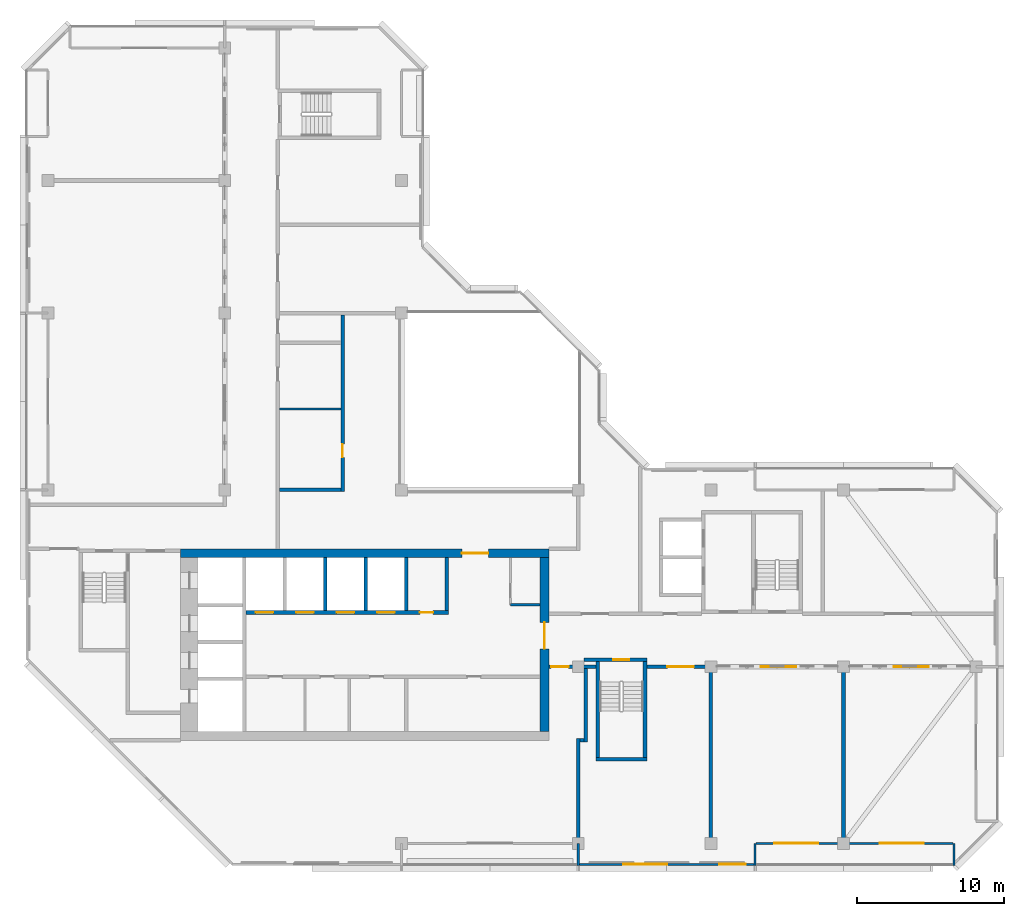
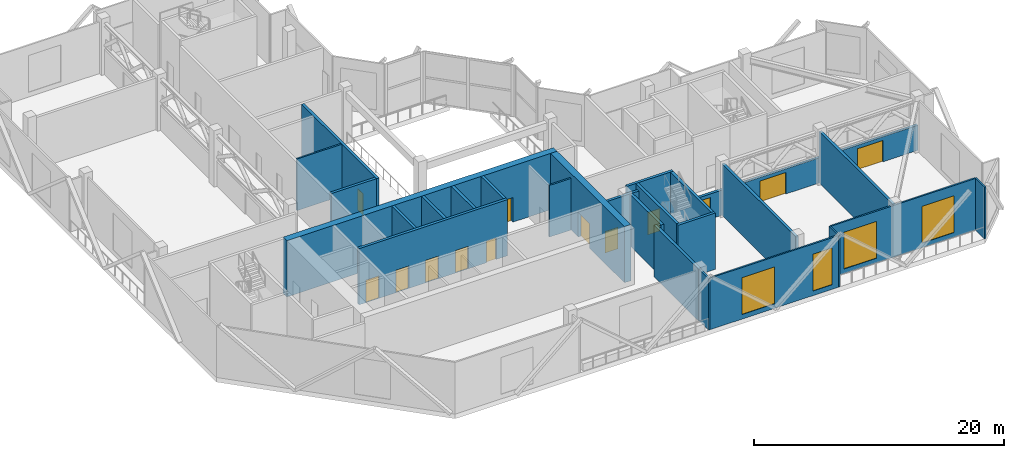
# One storey, part 6 of 13: 27 walls, 13 doors, 4 windows, 17 openings.
"""IFC4 building model written with IfcOpenShell, lengths in metres."""

import ifcopenshell
import ifcopenshell.guid

model = None  # the IFC model being written
_history = None  # IfcOwnerHistory: only IFC2X3 demands one
_inside = {}  # id of a spatial element -> (the spatial element, [elements in it])
_under = {}  # id of a project, library or spatial element -> (it, [spatial elements below it])
_declared = {}  # id of a project -> (the project, [libraries it declares])
_typed = {}  # id of a type object -> (the type object, [elements of that type])
_made_of = {}  # id of a material, layer set ... -> (it, [elements and type objects made of it])


def new_model(schema):
    """Start an empty IFC model of exactly this schema.

    Asked for "IFC4X3", IfcOpenShell would pick the latest addendum, in which some entities
    have other attributes; the version numbers below select the first issue.
    IFC2X3 requires an IfcOwnerHistory on every rooted entity: one is made here for all.
    """
    global model, _history
    if schema == "IFC4X3":
        model = ifcopenshell.file(schema_version=(4, 3, 0, 0))
    else:
        model = ifcopenshell.file(schema=schema)
    _inside.clear()
    _under.clear()
    _declared.clear()
    _typed.clear()
    _made_of.clear()
    _history = None
    if model.schema == "IFC2X3":
        org = make("IfcOrganization", Name="unknown")
        user = make(
            "IfcPersonAndOrganization",
            ThePerson=make("IfcPerson", FamilyName="unknown"),
            TheOrganization=org,
        )
        app = make(
            "IfcApplication",
            ApplicationDeveloper=org,
            Version="unknown",
            ApplicationFullName="unknown",
            ApplicationIdentifier="unknown",
        )
        _history = make(
            "IfcOwnerHistory",
            OwningUser=user,
            OwningApplication=app,
            ChangeAction="ADDED",
            CreationDate=0,
        )
    return model


def make(cls, **values):
    """One entity of the class cls with the attributes given. An attribute that is None is left unset."""
    return model.create_entity(
        cls, **{name: value for name, value in values.items() if value is not None}
    )


def rooted(cls, **values):
    """An entity with a GlobalId (a new one), such as an element, a storey or a relation."""
    return make(cls, GlobalId=ifcopenshell.guid.new(), OwnerHistory=_history, **values)


def si_unit(unit_type, name, prefix=None):
    """IfcSIUnit, for example si_unit("LENGTHUNIT", "METRE", prefix="MILLI")."""
    return make("IfcSIUnit", UnitType=unit_type, Prefix=prefix, Name=name)


def assignment(units):
    """IfcUnitAssignment: the units of a project."""
    return None if units is None else make("IfcUnitAssignment", Units=units)


def point(xyz):
    """IfcCartesianPoint."""
    return None if xyz is None else make("IfcCartesianPoint", Coordinates=xyz)


def direction(xyz):
    """IfcDirection."""
    return None if xyz is None else make("IfcDirection", DirectionRatios=xyz)


def frame(location, z_axis=None, x_axis=None):
    """IfcAxis2Placement3D, a coordinate frame: its origin and axes. An axis left out is left unset."""
    return make(
        "IfcAxis2Placement3D",
        Location=point(location),
        Axis=direction(z_axis),
        RefDirection=direction(x_axis),
    )


def frame_2d(location, x_axis=None):
    """IfcAxis2Placement2D, a coordinate frame in the plane: its origin and x axis."""
    return make(
        "IfcAxis2Placement2D", Location=point(location), RefDirection=direction(x_axis)
    )


def origin():
    """The frame at (0, 0, 0) with its axes left unset."""
    return frame((0.0, 0.0, 0.0))


def place(relative_to, where):
    """IfcLocalPlacement: puts the frame where relative to a parent placement (None: the world)."""
    return make(
        "IfcLocalPlacement", PlacementRelTo=relative_to, RelativePlacement=where
    )


def context(
    kind, dimensions, precision=None, world=None, true_north=None, identifier=None
):
    """IfcGeometricRepresentationContext, for example the 3D "Model" context."""
    return make(
        "IfcGeometricRepresentationContext",
        ContextIdentifier=identifier,
        ContextType=kind,
        CoordinateSpaceDimension=dimensions,
        Precision=precision,
        WorldCoordinateSystem=world,
        TrueNorth=true_north,
    )


def subcontext(parent, identifier, kind, view, scale=None):
    """IfcGeometricRepresentationSubContext, for example "Body" below "Model"."""
    return make(
        "IfcGeometricRepresentationSubContext",
        ContextIdentifier=identifier,
        ContextType=kind,
        ParentContext=parent,
        TargetScale=scale,
        TargetView=view,
    )


def project(units=None, contexts=None):
    """IfcProject with its units and contexts."""
    return rooted(
        "IfcProject",
        Name="project",
        RepresentationContexts=contexts,
        UnitsInContext=assignment(units),
    )


def spatial(cls, under=None, at=None, **own):
    """A site, building, storey or space (cls), placed at a placement, below another one or the project."""
    s = rooted(cls, ObjectPlacement=at, **own)
    if under is not None:
        _under.setdefault(under.id(), (under, []))[1].append(s)
    return s


def profile(cls, at=None, kind="AREA", **sizes):
    """A parametric profile (cls). Its sizes go by their IFC names, for example OverallWidth=200.0."""
    return make(cls, ProfileType=kind, Position=at, **sizes)


def rectangle(**sizes):
    """IfcRectangleProfileDef."""
    return profile("IfcRectangleProfileDef", **sizes)


def extrude(swept, where, along, depth):
    """IfcExtrudedAreaSolid: the profile swept, set in the frame where, extruded along a direction by depth."""
    return make(
        "IfcExtrudedAreaSolid",
        SweptArea=swept,
        Position=where,
        ExtrudedDirection=direction(along),
        Depth=depth,
    )


def shape(context_of_items, identifier, shape_type, items):
    """IfcShapeRepresentation: the items that make up one representation, for example the "Body"."""
    return make(
        "IfcShapeRepresentation",
        ContextOfItems=context_of_items,
        RepresentationIdentifier=identifier,
        RepresentationType=shape_type,
        Items=items,
    )


def material(Name=None, Category=None):
    """IfcMaterial."""
    return make("IfcMaterial", Name=Name, Category=Category)


def layer(
    of_material, thickness, ventilated=None, Name=None, Category=None, Priority=None
):
    """IfcMaterialLayer: one layer of a wall or slab, of a material (None: an air gap)."""
    return make(
        "IfcMaterialLayer",
        Material=of_material,
        LayerThickness=thickness,
        IsVentilated=ventilated,
        Name=Name,
        Category=Category,
        Priority=Priority,
    )


def layer_set(layers, Name=None):
    """IfcMaterialLayerSet."""
    return make("IfcMaterialLayerSet", MaterialLayers=layers, LayerSetName=Name)


def made_of(thing, what):
    """Note that an element or type object is made of a material, layer set ...; save() writes the relation."""
    if what is not None:
        _made_of.setdefault(what.id(), (what, []))[1].append(thing)
    return thing


def type_object(cls, material=None, **own):
    """A type object (cls), such as IfcWallType, which elements share."""
    return made_of(rooted(cls, **own), material)


def element(
    cls,
    number,
    at=None,
    inside=None,
    cuts=None,
    type_object=None,
    material=None,
    context=None,
    identifier="Body",
    shape_type=None,
    held_by="IfcProductDefinitionShape",
    body=None,
    shapes=None,
    **own,
):
    """One element of the class cls, such as IfcWall. Its Tag is "e" and its number.

    at: its placement. inside: the storey or other place that contains it. cuts: it is an
    opening in that element (IfcRelVoidsElement). A single representation is given by context,
    identifier, shape_type and body (its items); several are given by shapes. held_by: the class
    of the entity that holds the representations. save() writes the other relations.
    """
    e = rooted(cls, Tag="e%d" % number, ObjectPlacement=at, **own)
    if body is not None:
        shapes = [shape(context, identifier, shape_type, body)]
    if shapes is not None:
        e.Representation = make(held_by, Representations=shapes)
    if inside is not None:
        _inside.setdefault(inside.id(), (inside, []))[1].append(e)
    if cuts is not None:
        rooted(
            "IfcRelVoidsElement", RelatingBuildingElement=cuts, RelatedOpeningElement=e
        )
    if type_object is not None:
        _typed.setdefault(type_object.id(), (type_object, []))[1].append(e)
    return made_of(e, material)


def fill(opening, filler):
    """IfcRelFillsElement: the door or window that sits in an opening."""
    return rooted(
        "IfcRelFillsElement",
        RelatingOpeningElement=opening,
        RelatedBuildingElement=filler,
    )


def aggregate(whole, parts):
    """IfcRelAggregates: a whole, such as a stair, and the parts it consists of."""
    return rooted("IfcRelAggregates", RelatingObject=whole, RelatedObjects=parts)


def save(model, path):
    """Write the relations noted so far, then the file.

    IfcRelAggregates (storeys below a building ...), IfcRelContainedInSpatialStructure (elements
    in a storey), IfcRelDefinesByType, IfcRelAssociatesMaterial and IfcRelDeclares: one each for
    every whole, place, type object, material and project.
    """
    for whole, parts in _under.values():
        aggregate(whole, parts)
    for where, things in _inside.values():
        rooted(
            "IfcRelContainedInSpatialStructure",
            RelatedElements=things,
            RelatingStructure=where,
        )
    for kind, things in _typed.values():
        rooted("IfcRelDefinesByType", RelatedObjects=things, RelatingType=kind)
    for what, things in _made_of.values():
        rooted("IfcRelAssociatesMaterial", RelatedObjects=things, RelatingMaterial=what)
    for by, libraries in _declared.values():
        rooted("IfcRelDeclares", RelatingContext=by, RelatedDefinitions=libraries)
    model.write(path)


model = new_model("IFC4")

# Units and contexts
model_context = context("Model", 3, precision=1e-05, world=origin(), true_north=direction((0.0, 1.0)))
body_context = subcontext(model_context, "Body", "Model", "MODEL_VIEW")
ifc_project = project(units=[si_unit("LENGTHUNIT", "METRE"), si_unit("AREAUNIT", "SQUARE_METRE"), si_unit("VOLUMEUNIT", "CUBIC_METRE"), si_unit("PLANEANGLEUNIT", "RADIAN"), si_unit("MASSUNIT", "GRAM", prefix="KILO")], contexts=[model_context])

# Site, building, storey
site_placement = place(None, origin())
site = spatial("IfcSite", under=ifc_project, at=site_placement, CompositionType="ELEMENT")
building_placement = place(site_placement, origin())
building = spatial("IfcBuilding", under=site, at=building_placement, Name="Chenar Terraces", CompositionType="ELEMENT")
storey_placement = place(building_placement, frame((0.0, 0.0, 322.14990234375)))
storey = spatial("IfcBuildingStorey", under=building, at=storey_placement, Name="L76", CompositionType="ELEMENT", Elevation=322.14990234375)

# Wall
ifc_material_1 = material(Name="Gypsum board on steel studs", Category="steel")
ifc_layer_1 = layer(ifc_material_1, 0.14990234375)
ifc_layer_set_1 = layer_set([ifc_layer_1], Name="Gypsum board on steel studs")
wall_type_1 = type_object("IfcWallType", Name="Core partition 150 gypsum board", PredefinedType="PARTITIONING", material=ifc_layer_set_1)
wall_1_placement = place(storey_placement, frame((31.39990234375, 16.199951171875, 0.0), z_axis=(0.0, 0.0, 1.0), x_axis=(1.0, 0.0, 0.0)))
element("IfcWall", 1, at=wall_1_placement, inside=storey, type_object=wall_type_1, Name="Core partition CP1 vestibule room south wall", PredefinedType="PARTITIONING", context=body_context, shape_type="SweptSolid", body=[
    extrude(rectangle(XDim=2.0, YDim=0.14990234375, at=frame_2d((1.0, 0.0))), origin(), (0.0, 0.0, 1.0), 5.050048828125),
])

# Wall, openings, doors
ifc_material_2 = material(Name="Concrete C50/60", Category="concrete")
ifc_layer_2 = layer(ifc_material_2, 0.25)
ifc_layer_set_2 = layer_set([ifc_layer_2], Name="Concrete C50/60")
wall_type_2 = type_object("IfcWallType", Name="Core wall 250 Concrete C50/60", PredefinedType="SHEAR", material=ifc_layer_set_2)
wall_2_placement = place(storey_placement, frame((13.449951171875, 15.675048828125, 0.0), z_axis=(0.0, 0.0, 1.0), x_axis=(1.0, 0.0, 0.0)))
wall_2 = element("IfcWall", 2, at=wall_2_placement, inside=storey, type_object=wall_type_2, Name="Core wall NF L76", PredefinedType="SHEAR", context=body_context, shape_type="SweptSolid", body=[
    extrude(rectangle(XDim=13.75, YDim=0.25, at=frame_2d((6.875, 0.0))), origin(), (0.0, 0.0, 1.0), 5.5),
])
opening_1_placement = place(wall_2_placement, frame((0.64990234375, 0.0, 0.0)))
opening_1 = element("IfcOpeningElement", 3, at=opening_1_placement, cuts=wall_2, Name="Opening DL76-LD1", PredefinedType="OPENING", context=body_context, shape_type="SweptSolid", body=[
    extrude(rectangle(XDim=1.199951171875, YDim=2.199951171875, at=frame_2d((0.60009765625, 1.10009765625))), frame((0.0, 0.135009765625, 0.0), z_axis=(0.0, -1.0, 0.0), x_axis=(1.0, 0.0, 0.0)), (0.0, 0.0, 1.0), 0.27001953125),
])
opening_2_placement = place(wall_2_placement, frame((3.39990234375, 0.0, 0.0)))
opening_2 = element("IfcOpeningElement", 4, at=opening_2_placement, cuts=wall_2, Name="Opening DL76-LD2", PredefinedType="OPENING", context=body_context, shape_type="SweptSolid", body=[
    extrude(rectangle(XDim=1.199951171875, YDim=2.199951171875, at=frame_2d((0.60009765625, 1.10009765625))), frame((0.0, 0.135009765625, 0.0), z_axis=(0.0, -1.0, 0.0), x_axis=(1.0, 0.0, 0.0)), (0.0, 0.0, 1.0), 0.27001953125),
])
opening_3_placement = place(wall_2_placement, frame((6.14990234375, 0.0, 0.0)))
opening_3 = element("IfcOpeningElement", 5, at=opening_3_placement, cuts=wall_2, Name="Opening DL76-LD3", PredefinedType="OPENING", context=body_context, shape_type="SweptSolid", body=[
    extrude(rectangle(XDim=1.199951171875, YDim=2.199951171875, at=frame_2d((0.60009765625, 1.10009765625))), frame((0.0, 0.135009765625, 0.0), z_axis=(0.0, -1.0, 0.0), x_axis=(1.0, 0.0, 0.0)), (0.0, 0.0, 1.0), 0.27001953125),
])
opening_4_placement = place(wall_2_placement, frame((8.89990234375, 0.0, 0.0)))
opening_4 = element("IfcOpeningElement", 6, at=opening_4_placement, cuts=wall_2, Name="Opening DL76-LD4", PredefinedType="OPENING", context=body_context, shape_type="SweptSolid", body=[
    extrude(rectangle(XDim=1.199951171875, YDim=2.199951171875, at=frame_2d((0.60009765625, 1.10009765625))), frame((0.0, 0.135009765625, 0.0), z_axis=(0.0, -1.0, 0.0), x_axis=(1.0, 0.0, 0.0)), (0.0, 0.0, 1.0), 0.27001953125),
])
opening_5_placement = place(wall_2_placement, frame((11.800048828125, 0.0, 0.0)))
opening_5 = element("IfcOpeningElement", 7, at=opening_5_placement, cuts=wall_2, Name="Opening DL76-C16", PredefinedType="OPENING", context=body_context, shape_type="SweptSolid", body=[
    extrude(rectangle(XDim=0.89990234375, YDim=2.10009765625, at=frame_2d((0.449951171875, 1.050048828125))), frame((0.0, 0.135009765625, 0.0), z_axis=(0.0, -1.0, 0.0), x_axis=(1.0, 0.0, 0.0)), (0.0, 0.0, 1.0), 0.27001953125),
])
ifc_material_3 = material(Name="Stainless steel", Category="steel")
door_type_1 = type_object("IfcDoorType", Name="Lift landing door 1200 x 2200 sliding", OperationType="DOUBLE_DOOR_SLIDING", PredefinedType="DOOR", material=ifc_material_3)
door_1_placement = place(opening_1_placement, origin())
door_1 = element("IfcDoor", 8, at=door_1_placement, inside=storey, type_object=door_type_1, Name="Landing door H1", OperationType="DOUBLE_DOOR_SLIDING", OverallHeight=2.199951171875, OverallWidth=1.199951171875, PredefinedType="DOOR", context=body_context, shape_type="SweptSolid", body=[
    extrude(rectangle(XDim=1.199951171875, YDim=2.199951171875, at=frame_2d((0.60009765625, 1.10009765625))), frame((0.0, 0.02490234375, 0.0), z_axis=(0.0, -1.0, 0.0), x_axis=(1.0, 0.0, 0.0)), (0.0, 0.0, 1.0), 0.050048828125),
])
fill(opening_1, door_1)
door_2_placement = place(opening_2_placement, origin())
door_2 = element("IfcDoor", 9, at=door_2_placement, inside=storey, type_object=door_type_1, Name="Landing door H2", OperationType="DOUBLE_DOOR_SLIDING", OverallHeight=2.199951171875, OverallWidth=1.199951171875, PredefinedType="DOOR", context=body_context, shape_type="SweptSolid", body=[
    extrude(rectangle(XDim=1.199951171875, YDim=2.199951171875, at=frame_2d((0.60009765625, 1.10009765625))), frame((0.0, 0.02490234375, 0.0), z_axis=(0.0, -1.0, 0.0), x_axis=(1.0, 0.0, 0.0)), (0.0, 0.0, 1.0), 0.050048828125),
])
fill(opening_2, door_2)
door_3_placement = place(opening_3_placement, origin())
door_3 = element("IfcDoor", 10, at=door_3_placement, inside=storey, type_object=door_type_1, Name="Landing door H3", OperationType="DOUBLE_DOOR_SLIDING", OverallHeight=2.199951171875, OverallWidth=1.199951171875, PredefinedType="DOOR", context=body_context, shape_type="SweptSolid", body=[
    extrude(rectangle(XDim=1.199951171875, YDim=2.199951171875, at=frame_2d((0.60009765625, 1.10009765625))), frame((0.0, 0.02490234375, 0.0), z_axis=(0.0, -1.0, 0.0), x_axis=(1.0, 0.0, 0.0)), (0.0, 0.0, 1.0), 0.050048828125),
])
fill(opening_3, door_3)
door_4_placement = place(opening_4_placement, origin())
door_4 = element("IfcDoor", 11, at=door_4_placement, inside=storey, type_object=door_type_1, Name="Landing door H4", OperationType="DOUBLE_DOOR_SLIDING", OverallHeight=2.199951171875, OverallWidth=1.199951171875, PredefinedType="DOOR", context=body_context, shape_type="SweptSolid", body=[
    extrude(rectangle(XDim=1.199951171875, YDim=2.199951171875, at=frame_2d((0.60009765625, 1.10009765625))), frame((0.0, 0.02490234375, 0.0), z_axis=(0.0, -1.0, 0.0), x_axis=(1.0, 0.0, 0.0)), (0.0, 0.0, 1.0), 0.050048828125),
])
fill(opening_4, door_4)
ifc_material_4 = material(Name="Steel-framed fire-resisting door leaf", Category="steel")
door_type_2 = type_object("IfcDoorType", Name="Riser fire door FD60 900 x 2100", OperationType="SINGLE_SWING_LEFT", PredefinedType="DOOR", material=ifc_material_4)
door_5_placement = place(opening_5_placement, origin())
door_5 = element("IfcDoor", 12, at=door_5_placement, inside=storey, type_object=door_type_2, Name="Core room door DL76-C16", OperationType="SINGLE_SWING_RIGHT", OverallHeight=2.10009765625, OverallWidth=0.89990234375, PredefinedType="DOOR", context=body_context, shape_type="SweptSolid", body=[
    extrude(rectangle(XDim=0.89990234375, YDim=2.10009765625, at=frame_2d((0.449951171875, 1.050048828125))), frame((0.0, 0.02490234375, 0.0), z_axis=(0.0, -1.0, 0.0), x_axis=(1.0, 0.0, 0.0)), (0.0, 0.0, 1.0), 0.050048828125),
])
fill(opening_5, door_5)

# Walls
for number, where, z_axis, x_axis, name in (
    (13, (18.824951171875, 15.800048828125, 0.0), (0.0, 0.0, 1.0), (0.0, 1.0, 0.0), "Core wall NS1 L76"),
    (14, (21.574951171875, 15.800048828125, 0.0), (0.0, 0.0, 1.0), (0.0, 1.0, 0.0), "Core wall NS2 L76"),
    (15, (24.324951171875, 15.800048828125, 0.0), (0.0, 0.0, 1.0), (0.0, 1.0, 0.0), "Core wall NS3 L76"),
    (16, (27.074951171875, 15.800048828125, 0.0), (0.0, 0.0, 1.0), (0.0, 1.0, 0.0), "Core wall NE L76"),
):
    element("IfcWall", number, at=place(storey_placement, frame(where, z_axis=z_axis, x_axis=x_axis)), inside=storey, type_object=wall_type_2, Name=name, PredefinedType="SHEAR", context=body_context, shape_type="SweptSolid", body=[
        extrude(rectangle(XDim=3.599853515625, YDim=0.25, at=frame_2d((1.7998046875, 0.0))), origin(), (0.0, 0.0, 1.0), 5.5),
    ])
wall_3_placement = place(storey_placement, frame((37.199951171875, 5.72509765625, 0.0), z_axis=(0.0, 0.0, 1.0), x_axis=(1.0, 0.0, 0.0)))
element("IfcWall", 17, at=wall_3_placement, inside=storey, type_object=wall_type_2, Name="Core wall ST2_S L76", PredefinedType="SHEAR", context=body_context, shape_type="SweptSolid", body=[
    extrude(rectangle(XDim=3.449951171875, YDim=0.25, at=frame_2d((1.72509765625, 0.0))), origin(), (0.0, 0.0, 1.0), 5.5),
])

# Wall, opening, door
wall_4_placement = place(storey_placement, frame((36.39990234375, 12.47509765625, 0.0), z_axis=(0.0, 0.0, 1.0), x_axis=(1.0, 0.0, 0.0)))
wall_4 = element("IfcWall", 18, at=wall_4_placement, inside=storey, type_object=wall_type_2, Name="Core wall ST2_N L76", PredefinedType="SHEAR", context=body_context, shape_type="SweptSolid", body=[
    extrude(rectangle(XDim=4.25, YDim=0.25, at=frame_2d((2.125, 0.0))), origin(), (0.0, 0.0, 1.0), 5.5),
])
opening_6_placement = place(wall_4_placement, frame((1.97509765625, 0.0, 0.0)))
opening_6 = element("IfcOpeningElement", 19, at=opening_6_placement, cuts=wall_4, Name="Opening DL76-C7", PredefinedType="OPENING", context=body_context, shape_type="SweptSolid", body=[
    extrude(rectangle(XDim=1.10009765625, YDim=2.199951171875, at=frame_2d((0.550048828125, 1.10009765625))), frame((0.0, 0.135009765625, 0.0), z_axis=(0.0, -1.0, 0.0), x_axis=(1.0, 0.0, 0.0)), (0.0, 0.0, 1.0), 0.27001953125),
])
ifc_material_5 = material(Name="Steel-framed fire-resisting door leaf", Category="steel")
door_type_3 = type_object("IfcDoorType", Name="Stair fire door FD60 1100 x 2200", OperationType="SINGLE_SWING_LEFT", PredefinedType="DOOR", material=ifc_material_5)
door_6_placement = place(opening_6_placement, frame((1.10009765625, 0.0, 0.0), z_axis=(0.0, 0.0, 1.0), x_axis=(-1.0, 0.0, 0.0)))
door_6 = element("IfcDoor", 20, at=door_6_placement, inside=storey, type_object=door_type_3, Name="Stair door DL76-C7", OperationType="SINGLE_SWING_LEFT", OverallHeight=2.199951171875, OverallWidth=1.10009765625, PredefinedType="DOOR", context=body_context, shape_type="SweptSolid", body=[
    extrude(rectangle(XDim=1.10009765625, YDim=2.199951171875, at=frame_2d((0.550048828125, 1.10009765625))), frame((0.0, 0.02490234375, 0.0), z_axis=(0.0, -1.0, 0.0), x_axis=(1.0, 0.0, 0.0)), (0.0, 0.0, 1.0), 0.050048828125),
])
fill(opening_6, door_6)

# Walls
for number, where, z_axis, x_axis, name in (
    (21, (37.324951171875, 5.85009765625, 0.0), (0.0, 0.0, 1.0), (0.0, 1.0, 0.0), "Core wall ST2_W L76"),
    (22, (40.52490234375, 5.85009765625, 0.0), (0.0, 0.0, 1.0), (0.0, 1.0, 0.0), "Core wall ST2_E L76"),
):
    element("IfcWall", number, at=place(storey_placement, frame(where, z_axis=z_axis, x_axis=x_axis)), inside=storey, type_object=wall_type_2, Name=name, PredefinedType="SHEAR", context=body_context, shape_type="SweptSolid", body=[
        extrude(rectangle(XDim=6.5, YDim=0.25, at=frame_2d((3.25, 0.0))), origin(), (0.0, 0.0, 1.0), 5.5),
    ])

# Wall, opening, door
ifc_material_6 = material(Name="Concrete C50/60", Category="concrete")
ifc_layer_3 = layer(ifc_material_6, 0.60009765625)
ifc_layer_set_3 = layer_set([ifc_layer_3], Name="Concrete C50/60")
wall_type_3 = type_object("IfcWallType", Name="Core wall 600 Concrete C50/60", PredefinedType="SHEAR", material=ifc_layer_set_3)
wall_5_placement = place(storey_placement, frame((9.0, 19.699951171875, 0.0), z_axis=(0.0, 0.0, 1.0), x_axis=(1.0, 0.0, 0.0)))
wall_5 = element("IfcWall", 23, at=wall_5_placement, inside=storey, type_object=wall_type_3, Name="Core wall N L76", PredefinedType="SHEAR", context=body_context, shape_type="SweptSolid", body=[
    extrude(rectangle(XDim=25.0, YDim=0.60009765625, at=frame_2d((12.5, 0.0))), origin(), (0.0, 0.0, 1.0), 5.5),
])
opening_7_placement = place(wall_5_placement, frame((19.10009765625, 0.0, 0.0)))
opening_7 = element("IfcOpeningElement", 24, at=opening_7_placement, cuts=wall_5, Name="Opening DL76-C2", PredefinedType="OPENING", context=body_context, shape_type="SweptSolid", body=[
    extrude(rectangle(XDim=1.800048828125, YDim=2.39990234375, at=frame_2d((0.89990234375, 1.199951171875))), frame((0.0, 0.31005859375, 0.0), z_axis=(0.0, -1.0, 0.0), x_axis=(1.0, 0.0, 0.0)), (0.0, 0.0, 1.0), 0.6201171875),
])
ifc_material_7 = material(Name="Steel-framed fire-resisting door leaf", Category="steel")
door_type_4 = type_object("IfcDoorType", Name="Core entrance double fire door FD60 1800 x 2400", OperationType="DOUBLE_DOOR_SINGLE_SWING", PredefinedType="DOOR", material=ifc_material_7)
door_7_placement = place(opening_7_placement, frame((1.800048828125, 0.0, 0.0), z_axis=(0.0, 0.0, 1.0), x_axis=(-1.0, 0.0, 0.0)))
door_7 = element("IfcDoor", 25, at=door_7_placement, inside=storey, type_object=door_type_4, Name="Core door DL76-C2", OperationType="DOUBLE_DOOR_SINGLE_SWING", OverallHeight=2.39990234375, OverallWidth=1.800048828125, PredefinedType="DOOR", context=body_context, shape_type="SweptSolid", body=[
    extrude(rectangle(XDim=1.800048828125, YDim=2.39990234375, at=frame_2d((0.89990234375, 1.199951171875))), frame((0.0, 0.02490234375, 0.0), z_axis=(0.0, -1.0, 0.0), x_axis=(1.0, 0.0, 0.0)), (0.0, 0.0, 1.0), 0.050048828125),
])
fill(opening_7, door_7)

wall_6_placement = place(storey_placement, frame((33.699951171875, 7.60009765625, 0.0), z_axis=(0.0, 0.0, 1.0), x_axis=(0.0, 1.0, 0.0)))
wall_6 = element("IfcWall", 26, at=wall_6_placement, inside=storey, type_object=wall_type_3, Name="Core wall E L76", PredefinedType="SHEAR", context=body_context, shape_type="SweptSolid", body=[
    extrude(rectangle(XDim=11.7998046875, YDim=0.60009765625, at=frame_2d((5.89990234375, 0.0))), origin(), (0.0, 0.0, 1.0), 5.5),
])
opening_8_placement = place(wall_6_placement, frame((5.60009765625, 0.0, 0.0)))
opening_8 = element("IfcOpeningElement", 27, at=opening_8_placement, cuts=wall_6, Name="Opening DL76-C1", PredefinedType="OPENING", context=body_context, shape_type="SweptSolid", body=[
    extrude(rectangle(XDim=1.800048828125, YDim=2.39990234375, at=frame_2d((0.89990234375, 1.199951171875))), frame((0.0, 0.31005859375, 0.0), z_axis=(0.0, -1.0, 0.0), x_axis=(1.0, 0.0, 0.0)), (0.0, 0.0, 1.0), 0.6201171875),
])
door_8_placement = place(opening_8_placement, origin())
door_8 = element("IfcDoor", 28, at=door_8_placement, inside=storey, type_object=door_type_4, Name="Core door DL76-C1", OperationType="DOUBLE_DOOR_SINGLE_SWING", OverallHeight=2.39990234375, OverallWidth=1.800048828125, PredefinedType="DOOR", context=body_context, shape_type="SweptSolid", body=[
    extrude(rectangle(XDim=1.800048828125, YDim=2.39990234375, at=frame_2d((0.89990234375, 1.199951171875))), frame((0.0, 0.02490234375, 0.0), z_axis=(0.0, -1.0, 0.0), x_axis=(1.0, 0.0, 0.0)), (0.0, 0.0, 1.0), 0.050048828125),
])
fill(opening_8, door_8)

# Wall, openings, windows
ifc_material_8 = material(Name="Aluminium framed glazing", Category="aluminium")
ifc_layer_4 = layer(ifc_material_8, 0.14990234375)
ifc_layer_set_4 = layer_set([ifc_layer_4], Name="Aluminium framed glazing")
wall_type_4 = type_object("IfcWallType", Name="Glazed flush facade wall 150", PredefinedType="SOLIDWALL", material=ifc_layer_set_4)
wall_7_placement = place(storey_placement, frame((36.074951171875, -1.425048828125, 0.0), z_axis=(0.0, 0.0, 1.0), x_axis=(1.0, 0.0, 0.0)))
wall_7 = element("IfcWall", 29, at=wall_7_placement, inside=storey, type_object=wall_type_4, Name="Glazed flush facade wall", PredefinedType="SOLIDWALL", context=body_context, shape_type="SweptSolid", body=[
    extrude(rectangle(XDim=11.85009765625, YDim=0.14990234375, at=frame_2d((5.925048828125, 0.0))), origin(), (0.0, 0.0, 1.0), 5.050048828125),
])
opening_9_placement = place(wall_7_placement, frame((2.96240234375, 0.0, 0.449951171875)))
opening_9 = element("IfcOpeningElement", 30, at=opening_9_placement, cuts=wall_7, Name="Opening W300x360", PredefinedType="OPENING", context=body_context, shape_type="SweptSolid", body=[
    extrude(rectangle(XDim=3.0, YDim=3.60009765625, at=frame_2d((1.5, 1.800048828125))), frame((0.0, 0.0849609375, 0.0), z_axis=(0.0, -1.0, 0.0), x_axis=(1.0, 0.0, 0.0)), (0.0, 0.0, 1.0), 0.169921875),
])
opening_10_placement = place(wall_7_placement, frame((9.487548828125, 0.0, 0.449951171875)))
opening_10 = element("IfcOpeningElement", 31, at=opening_10_placement, cuts=wall_7, Name="Opening W180x360", PredefinedType="OPENING", context=body_context, shape_type="SweptSolid", body=[
    extrude(rectangle(XDim=1.800048828125, YDim=3.60009765625, at=frame_2d((0.89990234375, 1.800048828125))), frame((0.0, 0.0849609375, 0.0), z_axis=(0.0, -1.0, 0.0), x_axis=(1.0, 0.0, 0.0)), (0.0, 0.0, 1.0), 0.169921875),
])
ifc_material_9 = material(Name="Low emissivity double glazing, aluminium frame", Category="aluminium")
window_type_1 = type_object("IfcWindowType", Name="Fixed light 1800 x 3600", PartitioningType="SINGLE_PANEL", PredefinedType="WINDOW", material=ifc_material_9)
window_1_placement = place(opening_10_placement, origin())
window_1 = element("IfcWindow", 32, at=window_1_placement, inside=storey, type_object=window_type_1, Name="Window", OverallHeight=3.60009765625, OverallWidth=1.800048828125, PartitioningType="SINGLE_PANEL", PredefinedType="WINDOW", context=body_context, shape_type="SweptSolid", body=[
    extrude(rectangle(XDim=1.800048828125, YDim=3.60009765625, at=frame_2d((0.89990234375, 1.800048828125))), frame((0.0, 0.030029296875, 0.0), z_axis=(0.0, -1.0, 0.0), x_axis=(1.0, 0.0, 0.0)), (0.0, 0.0, 1.0), 0.06005859375),
])
fill(opening_10, window_1)
ifc_material_10 = material(Name="Low emissivity double glazing, aluminium frame", Category="aluminium")
window_type_2 = type_object("IfcWindowType", Name="Fixed light 3000 x 3600", PartitioningType="SINGLE_PANEL", PredefinedType="WINDOW", material=ifc_material_10)
window_2_placement = place(opening_9_placement, origin())
window_2 = element("IfcWindow", 33, at=window_2_placement, inside=storey, type_object=window_type_2, Name="Window", OverallHeight=3.60009765625, OverallWidth=3.0, PartitioningType="SINGLE_PANEL", PredefinedType="WINDOW", context=body_context, shape_type="SweptSolid", body=[
    extrude(rectangle(XDim=3.0, YDim=3.60009765625, at=frame_2d((1.5, 1.800048828125))), frame((0.0, 0.030029296875, 0.0), z_axis=(0.0, -1.0, 0.0), x_axis=(1.0, 0.0, 0.0)), (0.0, 0.0, 1.0), 0.06005859375),
])
fill(opening_9, window_2)

ifc_material_11 = material(Name="Aluminium framed glazing", Category="aluminium")
ifc_layer_5 = layer(ifc_material_11, 0.14990234375)
ifc_layer_set_5 = layer_set([ifc_layer_5], Name="Aluminium framed glazing")
wall_type_5 = type_object("IfcWallType", Name="Glazed loggia back wall 150", PredefinedType="SOLIDWALL", material=ifc_layer_set_5)
wall_8_placement = place(storey_placement, frame((48.074951171875, 0.0, 0.0), z_axis=(0.0, 0.0, 1.0), x_axis=(1.0, 0.0, 0.0)))
wall_8 = element("IfcWall", 34, at=wall_8_placement, inside=storey, type_object=wall_type_5, Name="Glazed loggia back wall", PredefinedType="SOLIDWALL", context=body_context, shape_type="SweptSolid", body=[
    extrude(rectangle(XDim=13.35009765625, YDim=0.14990234375, at=frame_2d((6.675048828125, 0.0))), origin(), (0.0, 0.0, 1.0), 5.050048828125),
])
opening_11_placement = place(wall_8_placement, frame((1.21240234375, 0.0, 0.449951171875)))
opening_11 = element("IfcOpeningElement", 35, at=opening_11_placement, cuts=wall_8, Name="Opening W300x360", PredefinedType="OPENING", context=body_context, shape_type="SweptSolid", body=[
    extrude(rectangle(XDim=3.0, YDim=3.60009765625, at=frame_2d((1.5, 1.800048828125))), frame((0.0, 0.0849609375, 0.0), z_axis=(0.0, -1.0, 0.0), x_axis=(1.0, 0.0, 0.0)), (0.0, 0.0, 1.0), 0.169921875),
])
opening_12_placement = place(wall_8_placement, frame((8.387451171875, 0.0, 0.449951171875)))
opening_12 = element("IfcOpeningElement", 36, at=opening_12_placement, cuts=wall_8, Name="Opening W300x360", PredefinedType="OPENING", context=body_context, shape_type="SweptSolid", body=[
    extrude(rectangle(XDim=3.0, YDim=3.60009765625, at=frame_2d((1.5, 1.800048828125))), frame((0.0, 0.0849609375, 0.0), z_axis=(0.0, -1.0, 0.0), x_axis=(1.0, 0.0, 0.0)), (0.0, 0.0, 1.0), 0.169921875),
])
window_3_placement = place(opening_11_placement, origin())
window_3 = element("IfcWindow", 37, at=window_3_placement, inside=storey, type_object=window_type_2, Name="Window", OverallHeight=3.60009765625, OverallWidth=3.0, PartitioningType="SINGLE_PANEL", PredefinedType="WINDOW", context=body_context, shape_type="SweptSolid", body=[
    extrude(rectangle(XDim=3.0, YDim=3.60009765625, at=frame_2d((1.5, 1.800048828125))), frame((0.0, 0.030029296875, 0.0), z_axis=(0.0, -1.0, 0.0), x_axis=(1.0, 0.0, 0.0)), (0.0, 0.0, 1.0), 0.06005859375),
])
fill(opening_11, window_3)
window_4_placement = place(opening_12_placement, origin())
window_4 = element("IfcWindow", 38, at=window_4_placement, inside=storey, type_object=window_type_2, Name="Window", OverallHeight=3.60009765625, OverallWidth=3.0, PartitioningType="SINGLE_PANEL", PredefinedType="WINDOW", context=body_context, shape_type="SweptSolid", body=[
    extrude(rectangle(XDim=3.0, YDim=3.60009765625, at=frame_2d((1.5, 1.800048828125))), frame((0.0, 0.030029296875, 0.0), z_axis=(0.0, -1.0, 0.0), x_axis=(1.0, 0.0, 0.0)), (0.0, 0.0, 1.0), 0.06005859375),
])
fill(opening_12, window_4)

# Walls
ifc_material_12 = material(Name="Terracotta cladding on insulated backing", Category="masonry")
ifc_layer_6 = layer(ifc_material_12, 0.14990234375)
ifc_layer_set_6 = layer_set([ifc_layer_6], Name="Terracotta cladding on insulated backing")
wall_type_6 = type_object("IfcWallType", Name="Loggia return wall 150", PredefinedType="SOLIDWALL", material=ifc_layer_set_6)
for number, where, z_axis, x_axis, name in (
    (39, (36.0, -1.5, 0.0), (0.0, 0.0, 1.0), (0.0, 1.0, 0.0), "Loggia return wall"),
    (40, (48.0, -1.5, 0.0), (0.0, 0.0, 1.0), (0.0, 1.0, 0.0), "Loggia return wall"),
    (41, (61.5, -1.5, 0.0), (0.0, 0.0, 1.0), (0.0, 1.0, 0.0), "Loggia return wall"),
):
    element("IfcWall", number, at=place(storey_placement, frame(where, z_axis=z_axis, x_axis=x_axis)), inside=storey, type_object=wall_type_6, Name=name, PredefinedType="SOLIDWALL", context=body_context, shape_type="SweptSolid", body=[
        extrude(rectangle(XDim=1.5, YDim=0.14990234375, at=frame_2d((0.75, 0.0))), origin(), (0.0, 0.0, 1.0), 5.050048828125),
    ])
ifc_material_13 = material(Name="Fire-board and steel stud wall with mineral wool", Category="steel")
ifc_layer_7 = layer(ifc_material_13, 0.25)
ifc_layer_set_7 = layer_set([ifc_layer_7], Name="Fire-board and steel stud wall with mineral wool")
wall_type_7 = type_object("IfcWallType", Name="Refuge compartment wall 250", PredefinedType="PARTITIONING", material=ifc_layer_set_7)
wall_9_placement = place(storey_placement, frame((15.72509765625, 24.0, 0.0), z_axis=(0.0, 0.0, 1.0), x_axis=(1.0, 0.0, 0.0)))
element("IfcWall", 42, at=wall_9_placement, inside=storey, type_object=wall_type_7, Name="Partition L76-008", PredefinedType="PARTITIONING", context=body_context, shape_type="SweptSolid", body=[
    extrude(rectangle(XDim=4.14990234375, YDim=0.25, at=frame_2d((2.074951171875, 0.0))), origin(), (0.0, 0.0, 1.0), 5.050048828125),
])

# Wall, opening, door
wall_10_placement = place(storey_placement, frame((20.0, 23.875, 0.0), z_axis=(0.0, 0.0, 1.0), x_axis=(0.0, 1.0, 0.0)))
wall_10 = element("IfcWall", 43, at=wall_10_placement, inside=storey, type_object=wall_type_7, Name="Partition L76-013", PredefinedType="PARTITIONING", context=body_context, shape_type="SweptSolid", body=[
    extrude(rectangle(XDim=12.0, YDim=0.25, at=frame_2d((6.0, 0.0))), origin(), (0.0, 0.0, 1.0), 5.050048828125),
])
opening_13_placement = place(wall_10_placement, frame((2.324951171875, 0.0, 0.0)))
opening_13 = element("IfcOpeningElement", 44, at=opening_13_placement, cuts=wall_10, Name="Opening DL76-15", PredefinedType="OPENING", context=body_context, shape_type="SweptSolid", body=[
    extrude(rectangle(XDim=0.89990234375, YDim=2.10009765625, at=frame_2d((0.449951171875, 1.050048828125))), frame((0.0, 0.135009765625, 0.0), z_axis=(0.0, -1.0, 0.0), x_axis=(1.0, 0.0, 0.0)), (0.0, 0.0, 1.0), 0.27001953125),
])
ifc_material_14 = material(Name="Steel-framed fire-resisting door leaf", Category="steel")
door_type_5 = type_object("IfcDoorType", Name="Fire door FD120 900 x 2100", OperationType="SINGLE_SWING_LEFT", PredefinedType="DOOR", material=ifc_material_14)
door_9_placement = place(opening_13_placement, origin())
door_9 = element("IfcDoor", 45, at=door_9_placement, inside=storey, type_object=door_type_5, Name="Door DL76-15", OperationType="SINGLE_SWING_LEFT", OverallHeight=2.10009765625, OverallWidth=0.89990234375, PredefinedType="DOOR", context=body_context, shape_type="SweptSolid", body=[
    extrude(rectangle(XDim=0.89990234375, YDim=2.10009765625, at=frame_2d((0.449951171875, 1.050048828125))), frame((0.0, 0.02490234375, 0.0), z_axis=(0.0, -1.0, 0.0), x_axis=(1.0, 0.0, 0.0)), (0.0, 0.0, 1.0), 0.050048828125),
])
fill(opening_13, door_9)

wall_11_placement = place(storey_placement, frame((34.0, 12.0, 0.0), z_axis=(0.0, 0.0, 1.0), x_axis=(1.0, 0.0, 0.0)))
wall_11 = element("IfcWall", 46, at=wall_11_placement, inside=storey, type_object=wall_type_7, Name="Partition L76-014", PredefinedType="PARTITIONING", context=body_context, shape_type="SweptSolid", body=[
    extrude(rectangle(XDim=3.199951171875, YDim=0.25, at=frame_2d((1.60009765625, 0.0))), origin(), (0.0, 0.0, 1.0), 5.050048828125),
])
opening_14_placement = place(wall_11_placement, frame((0.14990234375, 0.0, 0.0)))
opening_14 = element("IfcOpeningElement", 47, at=opening_14_placement, cuts=wall_11, Name="Opening DL76-13", PredefinedType="OPENING", context=body_context, shape_type="SweptSolid", body=[
    extrude(rectangle(XDim=1.199951171875, YDim=2.10009765625, at=frame_2d((0.60009765625, 1.050048828125))), frame((0.0, 0.135009765625, 0.0), z_axis=(0.0, -1.0, 0.0), x_axis=(1.0, 0.0, 0.0)), (0.0, 0.0, 1.0), 0.27001953125),
])
ifc_material_15 = material(Name="Steel-framed fire-resisting door leaf", Category="steel")
door_type_6 = type_object("IfcDoorType", Name="Fire door FD120 1200 x 2100", OperationType="SINGLE_SWING_LEFT", PredefinedType="DOOR", material=ifc_material_15)
door_10_placement = place(opening_14_placement, frame((1.199951171875, 0.0, 0.0), z_axis=(0.0, 0.0, 1.0), x_axis=(-1.0, 0.0, 0.0)))
door_10 = element("IfcDoor", 48, at=door_10_placement, inside=storey, type_object=door_type_6, Name="Door DL76-13", OperationType="SINGLE_SWING_RIGHT", OverallHeight=2.10009765625, OverallWidth=1.199951171875, PredefinedType="DOOR", context=body_context, shape_type="SweptSolid", body=[
    extrude(rectangle(XDim=1.199951171875, YDim=2.10009765625, at=frame_2d((0.60009765625, 1.050048828125))), frame((0.0, 0.02490234375, 0.0), z_axis=(0.0, -1.0, 0.0), x_axis=(1.0, 0.0, 0.0)), (0.0, 0.0, 1.0), 0.050048828125),
])
fill(opening_14, door_10)

# Walls
wall_12_placement = place(storey_placement, frame((36.0, 0.0, 0.0), z_axis=(0.0, 0.0, 1.0), x_axis=(0.0, 1.0, 0.0)))
element("IfcWall", 49, at=wall_12_placement, inside=storey, type_object=wall_type_7, Name="Partition L76-017", PredefinedType="PARTITIONING", context=body_context, shape_type="SweptSolid", body=[
    extrude(rectangle(XDim=7.125, YDim=0.25, at=frame_2d((3.5625, 0.0))), origin(), (0.0, 0.0, 1.0), 5.050048828125),
])
wall_13_placement = place(storey_placement, frame((36.125, 7.0, 0.0), z_axis=(0.0, 0.0, 1.0), x_axis=(1.0, 0.0, 0.0)))
element("IfcWall", 50, at=wall_13_placement, inside=storey, type_object=wall_type_7, Name="Partition L76-019", PredefinedType="PARTITIONING", context=body_context, shape_type="SweptSolid", body=[
    extrude(rectangle(XDim=0.25, YDim=0.25, at=frame_2d((0.125, 0.0))), origin(), (0.0, 0.0, 1.0), 5.050048828125),
])
wall_14_placement = place(storey_placement, frame((36.5, 6.875, 0.0), z_axis=(0.0, 0.0, 1.0), x_axis=(0.0, 1.0, 0.0)))
element("IfcWall", 51, at=wall_14_placement, inside=storey, type_object=wall_type_7, Name="Partition L76-020", PredefinedType="PARTITIONING", context=body_context, shape_type="SweptSolid", body=[
    extrude(rectangle(XDim=5.0, YDim=0.25, at=frame_2d((2.5, 0.0))), origin(), (0.0, 0.0, 1.0), 5.050048828125),
])

# Wall, openings, doors
wall_15_placement = place(storey_placement, frame((40.64990234375, 12.0, 0.0), z_axis=(0.0, 0.0, 1.0), x_axis=(1.0, 0.0, 0.0)))
wall_15 = element("IfcWall", 52, at=wall_15_placement, inside=storey, type_object=wall_type_7, Name="Partition L76-022", PredefinedType="PARTITIONING", context=body_context, shape_type="SweptSolid", body=[
    extrude(rectangle(XDim=22.35009765625, YDim=0.25, at=frame_2d((11.175048828125, 0.0))), origin(), (0.0, 0.0, 1.0), 2.4501953125),
])
opening_15_placement = place(wall_15_placement, frame((1.39990234375, 0.0, 0.0)))
opening_15 = element("IfcOpeningElement", 53, at=opening_15_placement, cuts=wall_15, Name="Opening DL76-4", PredefinedType="OPENING", context=body_context, shape_type="SweptSolid", body=[
    extrude(rectangle(XDim=1.800048828125, YDim=2.10009765625, at=frame_2d((0.89990234375, 1.050048828125))), frame((0.0, 0.135009765625, 0.0), z_axis=(0.0, -1.0, 0.0), x_axis=(1.0, 0.0, 0.0)), (0.0, 0.0, 1.0), 0.27001953125),
])
opening_16_placement = place(wall_15_placement, frame((7.75, 0.0, 0.0)))
opening_16 = element("IfcOpeningElement", 54, at=opening_16_placement, cuts=wall_15, Name="Opening DL76-5", PredefinedType="OPENING", context=body_context, shape_type="SweptSolid", body=[
    extrude(rectangle(XDim=2.39990234375, YDim=2.10009765625, at=frame_2d((1.199951171875, 1.050048828125))), frame((0.0, 0.135009765625, 0.0), z_axis=(0.0, -1.0, 0.0), x_axis=(1.0, 0.0, 0.0)), (0.0, 0.0, 1.0), 0.27001953125),
])
opening_17_placement = place(wall_15_placement, frame((16.75, 0.0, 0.0)))
opening_17 = element("IfcOpeningElement", 55, at=opening_17_placement, cuts=wall_15, Name="Opening DL76-6", PredefinedType="OPENING", context=body_context, shape_type="SweptSolid", body=[
    extrude(rectangle(XDim=2.39990234375, YDim=2.10009765625, at=frame_2d((1.199951171875, 1.050048828125))), frame((0.0, 0.135009765625, 0.0), z_axis=(0.0, -1.0, 0.0), x_axis=(1.0, 0.0, 0.0)), (0.0, 0.0, 1.0), 0.27001953125),
])
ifc_material_16 = material(Name="Steel-framed fire-resisting door leaf", Category="steel")
door_type_7 = type_object("IfcDoorType", Name="Fire double door FD120 1800 x 2100", OperationType="DOUBLE_DOOR_SINGLE_SWING", PredefinedType="DOOR", material=ifc_material_16)
door_11_placement = place(opening_15_placement, frame((1.800048828125, 0.0, 0.0), z_axis=(0.0, 0.0, 1.0), x_axis=(-1.0, 0.0, 0.0)))
door_11 = element("IfcDoor", 56, at=door_11_placement, inside=storey, type_object=door_type_7, Name="Door DL76-4", OperationType="DOUBLE_DOOR_SINGLE_SWING", OverallHeight=2.10009765625, OverallWidth=1.800048828125, PredefinedType="DOOR", context=body_context, shape_type="SweptSolid", body=[
    extrude(rectangle(XDim=1.800048828125, YDim=2.10009765625, at=frame_2d((0.89990234375, 1.050048828125))), frame((0.0, 0.02490234375, 0.0), z_axis=(0.0, -1.0, 0.0), x_axis=(1.0, 0.0, 0.0)), (0.0, 0.0, 1.0), 0.050048828125),
])
fill(opening_15, door_11)
ifc_material_17 = material(Name="Steel-framed fire-resisting door leaf", Category="steel")
door_type_8 = type_object("IfcDoorType", Name="Fire double door FD120 2400 x 2100", OperationType="DOUBLE_DOOR_SINGLE_SWING", PredefinedType="DOOR", material=ifc_material_17)
door_12_placement = place(opening_16_placement, frame((2.39990234375, 0.0, 0.0), z_axis=(0.0, 0.0, 1.0), x_axis=(-1.0, 0.0, 0.0)))
door_12 = element("IfcDoor", 57, at=door_12_placement, inside=storey, type_object=door_type_8, Name="Door DL76-5", OperationType="DOUBLE_DOOR_SINGLE_SWING", OverallHeight=2.10009765625, OverallWidth=2.39990234375, PredefinedType="DOOR", context=body_context, shape_type="SweptSolid", body=[
    extrude(rectangle(XDim=2.39990234375, YDim=2.10009765625, at=frame_2d((1.199951171875, 1.050048828125))), frame((0.0, 0.02490234375, 0.0), z_axis=(0.0, -1.0, 0.0), x_axis=(1.0, 0.0, 0.0)), (0.0, 0.0, 1.0), 0.050048828125),
])
fill(opening_16, door_12)
door_13_placement = place(opening_17_placement, frame((2.39990234375, 0.0, 0.0), z_axis=(0.0, 0.0, 1.0), x_axis=(-1.0, 0.0, 0.0)))
door_13 = element("IfcDoor", 58, at=door_13_placement, inside=storey, type_object=door_type_8, Name="Door DL76-6", OperationType="DOUBLE_DOOR_SINGLE_SWING", OverallHeight=2.10009765625, OverallWidth=2.39990234375, PredefinedType="DOOR", context=body_context, shape_type="SweptSolid", body=[
    extrude(rectangle(XDim=2.39990234375, YDim=2.10009765625, at=frame_2d((1.199951171875, 1.050048828125))), frame((0.0, 0.02490234375, 0.0), z_axis=(0.0, -1.0, 0.0), x_axis=(1.0, 0.0, 0.0)), (0.0, 0.0, 1.0), 0.050048828125),
])
fill(opening_17, door_13)

# Walls
wall_16_placement = place(storey_placement, frame((45.0, 0.0, 0.0), z_axis=(0.0, 0.0, 1.0), x_axis=(0.0, 1.0, 0.0)))
element("IfcWall", 59, at=wall_16_placement, inside=storey, type_object=wall_type_7, Name="Partition L76-023", PredefinedType="PARTITIONING", context=body_context, shape_type="SweptSolid", body=[
    extrude(rectangle(XDim=11.875, YDim=0.25, at=frame_2d((5.9375, 0.0))), origin(), (0.0, 0.0, 1.0), 5.050048828125),
])
wall_17_placement = place(storey_placement, frame((54.0, 0.073974609375, 0.0), z_axis=(0.0, 0.0, 1.0), x_axis=(0.0, 1.0, 0.0)))
element("IfcWall", 60, at=wall_17_placement, inside=storey, type_object=wall_type_7, Name="Partition L76-026", PredefinedType="PARTITIONING", context=body_context, shape_type="SweptSolid", body=[
    extrude(rectangle(XDim=11.801025390625, YDim=0.25, at=frame_2d((5.900390625, 0.0))), origin(), (0.0, 0.0, 1.0), 5.050048828125),
])
ifc_material_18 = material(Name="Moisture-resistant gypsum board on steel studs", Category="steel")
ifc_layer_8 = layer(ifc_material_18, 0.14990234375)
ifc_layer_set_8 = layer_set([ifc_layer_8], Name="Moisture-resistant gypsum board on steel studs")
wall_type_8 = type_object("IfcWallType", Name="Wet-room partition 150", PredefinedType="PARTITIONING", material=ifc_layer_set_8)
wall_18_placement = place(storey_placement, frame((15.72509765625, 29.5, 0.0), z_axis=(0.0, 0.0, 1.0), x_axis=(1.0, 0.0, 0.0)))
element("IfcWall", 61, at=wall_18_placement, inside=storey, type_object=wall_type_8, Name="Partition L76-009", PredefinedType="PARTITIONING", context=body_context, shape_type="SweptSolid", body=[
    extrude(rectangle(XDim=4.14990234375, YDim=0.14990234375, at=frame_2d((2.074951171875, 0.0))), origin(), (0.0, 0.0, 1.0), 5.050048828125),
])

save(model, "model.ifc")
